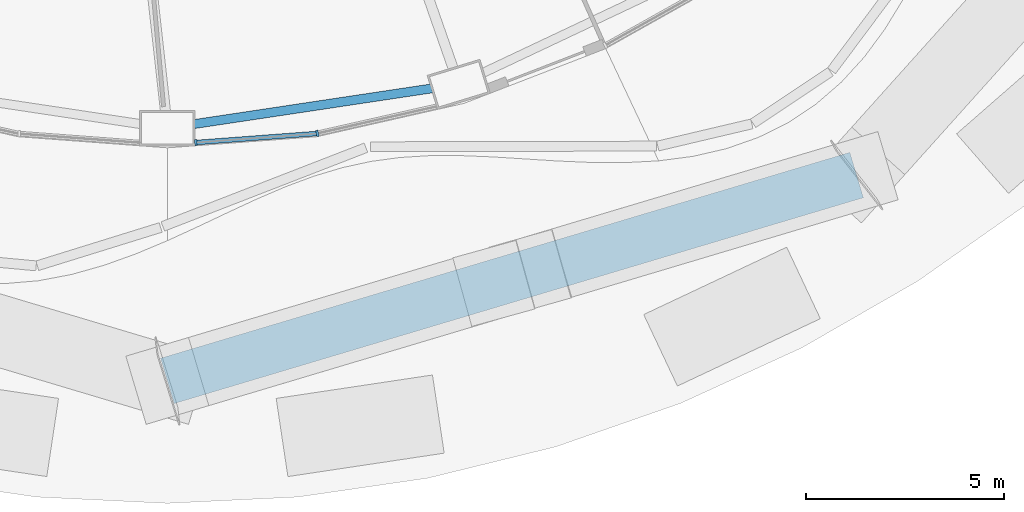
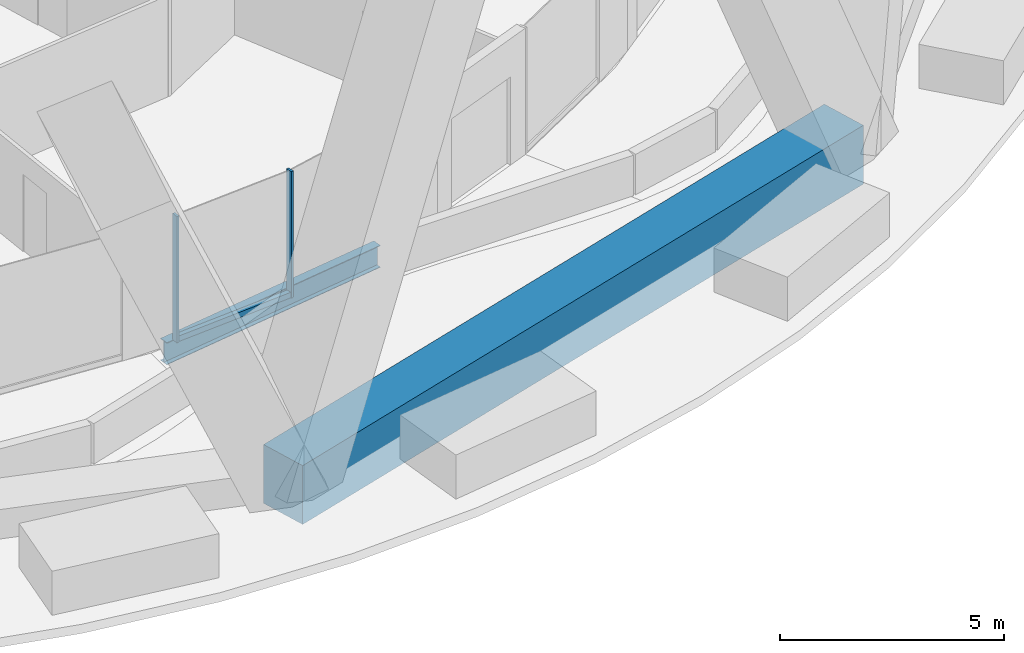
# One storey, part 8 of 42: 4 members, 1 beam, 2 elements without a shape of their own.
"""IFC4 building model written with IfcOpenShell, lengths in metres."""

import ifcopenshell
import ifcopenshell.guid

model = None  # the IFC model being written
_history = None  # IfcOwnerHistory: only IFC2X3 demands one
_inside = {}  # id of a spatial element -> (the spatial element, [elements in it])
_under = {}  # id of a project, library or spatial element -> (it, [spatial elements below it])
_declared = {}  # id of a project -> (the project, [libraries it declares])
_typed = {}  # id of a type object -> (the type object, [elements of that type])
_made_of = {}  # id of a material, layer set ... -> (it, [elements and type objects made of it])


def new_model(schema):
    """Start an empty IFC model of exactly this schema.

    Asked for "IFC4X3", IfcOpenShell would pick the latest addendum, in which some entities
    have other attributes; the version numbers below select the first issue.
    IFC2X3 requires an IfcOwnerHistory on every rooted entity: one is made here for all.
    """
    global model, _history
    if schema == "IFC4X3":
        model = ifcopenshell.file(schema_version=(4, 3, 0, 0))
    else:
        model = ifcopenshell.file(schema=schema)
    _inside.clear()
    _under.clear()
    _declared.clear()
    _typed.clear()
    _made_of.clear()
    _history = None
    if model.schema == "IFC2X3":
        org = make("IfcOrganization", Name="unknown")
        user = make(
            "IfcPersonAndOrganization",
            ThePerson=make("IfcPerson", FamilyName="unknown"),
            TheOrganization=org,
        )
        app = make(
            "IfcApplication",
            ApplicationDeveloper=org,
            Version="unknown",
            ApplicationFullName="unknown",
            ApplicationIdentifier="unknown",
        )
        _history = make(
            "IfcOwnerHistory",
            OwningUser=user,
            OwningApplication=app,
            ChangeAction="ADDED",
            CreationDate=0,
        )
    return model


def make(cls, **values):
    """One entity of the class cls with the attributes given. An attribute that is None is left unset."""
    return model.create_entity(
        cls, **{name: value for name, value in values.items() if value is not None}
    )


def rooted(cls, **values):
    """An entity with a GlobalId (a new one), such as an element, a storey or a relation."""
    return make(cls, GlobalId=ifcopenshell.guid.new(), OwnerHistory=_history, **values)


def si_unit(unit_type, name, prefix=None):
    """IfcSIUnit, for example si_unit("LENGTHUNIT", "METRE", prefix="MILLI")."""
    return make("IfcSIUnit", UnitType=unit_type, Prefix=prefix, Name=name)


def assignment(units):
    """IfcUnitAssignment: the units of a project."""
    return None if units is None else make("IfcUnitAssignment", Units=units)


def point(xyz):
    """IfcCartesianPoint."""
    return None if xyz is None else make("IfcCartesianPoint", Coordinates=xyz)


def direction(xyz):
    """IfcDirection."""
    return None if xyz is None else make("IfcDirection", DirectionRatios=xyz)


def frame(location, z_axis=None, x_axis=None):
    """IfcAxis2Placement3D, a coordinate frame: its origin and axes. An axis left out is left unset."""
    return make(
        "IfcAxis2Placement3D",
        Location=point(location),
        Axis=direction(z_axis),
        RefDirection=direction(x_axis),
    )


def frame_2d(location, x_axis=None):
    """IfcAxis2Placement2D, a coordinate frame in the plane: its origin and x axis."""
    return make(
        "IfcAxis2Placement2D", Location=point(location), RefDirection=direction(x_axis)
    )


def origin():
    """The frame at (0, 0, 0) with its axes left unset."""
    return frame((0.0, 0.0, 0.0))


def origin_2d():
    """The frame at (0, 0) in the plane with its x axis left unset."""
    return frame_2d((0.0, 0.0))


def place(relative_to, where):
    """IfcLocalPlacement: puts the frame where relative to a parent placement (None: the world)."""
    return make(
        "IfcLocalPlacement", PlacementRelTo=relative_to, RelativePlacement=where
    )


def context(
    kind, dimensions, precision=None, world=None, true_north=None, identifier=None
):
    """IfcGeometricRepresentationContext, for example the 3D "Model" context."""
    return make(
        "IfcGeometricRepresentationContext",
        ContextIdentifier=identifier,
        ContextType=kind,
        CoordinateSpaceDimension=dimensions,
        Precision=precision,
        WorldCoordinateSystem=world,
        TrueNorth=true_north,
    )


def subcontext(parent, identifier, kind, view, scale=None):
    """IfcGeometricRepresentationSubContext, for example "Body" below "Model"."""
    return make(
        "IfcGeometricRepresentationSubContext",
        ContextIdentifier=identifier,
        ContextType=kind,
        ParentContext=parent,
        TargetScale=scale,
        TargetView=view,
    )


def project(units=None, contexts=None):
    """IfcProject with its units and contexts."""
    return rooted(
        "IfcProject",
        Name="project",
        RepresentationContexts=contexts,
        UnitsInContext=assignment(units),
    )


def spatial(cls, under=None, at=None, **own):
    """A site, building, storey or space (cls), placed at a placement, below another one or the project."""
    s = rooted(cls, ObjectPlacement=at, **own)
    if under is not None:
        _under.setdefault(under.id(), (under, []))[1].append(s)
    return s


def profile(cls, at=None, kind="AREA", **sizes):
    """A parametric profile (cls). Its sizes go by their IFC names, for example OverallWidth=200.0."""
    return make(cls, ProfileType=kind, Position=at, **sizes)


def rectangle(**sizes):
    """IfcRectangleProfileDef."""
    return profile("IfcRectangleProfileDef", **sizes)


def i_section(**sizes):
    """IfcIShapeProfileDef."""
    return profile("IfcIShapeProfileDef", **sizes)


def extrude(swept, where, along, depth):
    """IfcExtrudedAreaSolid: the profile swept, set in the frame where, extruded along a direction by depth."""
    return make(
        "IfcExtrudedAreaSolid",
        SweptArea=swept,
        Position=where,
        ExtrudedDirection=direction(along),
        Depth=depth,
    )


def shape(context_of_items, identifier, shape_type, items):
    """IfcShapeRepresentation: the items that make up one representation, for example the "Body"."""
    return make(
        "IfcShapeRepresentation",
        ContextOfItems=context_of_items,
        RepresentationIdentifier=identifier,
        RepresentationType=shape_type,
        Items=items,
    )


def material(Name=None, Category=None):
    """IfcMaterial."""
    return make("IfcMaterial", Name=Name, Category=Category)


def layer(
    of_material, thickness, ventilated=None, Name=None, Category=None, Priority=None
):
    """IfcMaterialLayer: one layer of a wall or slab, of a material (None: an air gap)."""
    return make(
        "IfcMaterialLayer",
        Material=of_material,
        LayerThickness=thickness,
        IsVentilated=ventilated,
        Name=Name,
        Category=Category,
        Priority=Priority,
    )


def layer_set(layers, Name=None):
    """IfcMaterialLayerSet."""
    return make("IfcMaterialLayerSet", MaterialLayers=layers, LayerSetName=Name)


def material_profile(
    of_material, cross_section, Name=None, Category=None, Priority=None
):
    """IfcMaterialProfile: a cross section and its material."""
    return make(
        "IfcMaterialProfile",
        Name=Name,
        Material=of_material,
        Profile=cross_section,
        Priority=Priority,
        Category=Category,
    )


def profile_set(profiles, Name=None, composite=None):
    """IfcMaterialProfileSet."""
    return make(
        "IfcMaterialProfileSet",
        Name=Name,
        MaterialProfiles=profiles,
        CompositeProfile=composite,
    )


def made_of(thing, what):
    """Note that an element or type object is made of a material, layer set ...; save() writes the relation."""
    if what is not None:
        _made_of.setdefault(what.id(), (what, []))[1].append(thing)
    return thing


def type_object(cls, material=None, **own):
    """A type object (cls), such as IfcWallType, which elements share."""
    return made_of(rooted(cls, **own), material)


def element(
    cls,
    number,
    at=None,
    inside=None,
    cuts=None,
    type_object=None,
    material=None,
    context=None,
    identifier="Body",
    shape_type=None,
    held_by="IfcProductDefinitionShape",
    body=None,
    shapes=None,
    **own,
):
    """One element of the class cls, such as IfcWall. Its Tag is "e" and its number.

    at: its placement. inside: the storey or other place that contains it. cuts: it is an
    opening in that element (IfcRelVoidsElement). A single representation is given by context,
    identifier, shape_type and body (its items); several are given by shapes. held_by: the class
    of the entity that holds the representations. save() writes the other relations.
    """
    e = rooted(cls, Tag="e%d" % number, ObjectPlacement=at, **own)
    if body is not None:
        shapes = [shape(context, identifier, shape_type, body)]
    if shapes is not None:
        e.Representation = make(held_by, Representations=shapes)
    if inside is not None:
        _inside.setdefault(inside.id(), (inside, []))[1].append(e)
    if cuts is not None:
        rooted(
            "IfcRelVoidsElement", RelatingBuildingElement=cuts, RelatedOpeningElement=e
        )
    if type_object is not None:
        _typed.setdefault(type_object.id(), (type_object, []))[1].append(e)
    return made_of(e, material)


def aggregate(whole, parts):
    """IfcRelAggregates: a whole, such as a stair, and the parts it consists of."""
    return rooted("IfcRelAggregates", RelatingObject=whole, RelatedObjects=parts)


def save(model, path):
    """Write the relations noted so far, then the file.

    IfcRelAggregates (storeys below a building ...), IfcRelContainedInSpatialStructure (elements
    in a storey), IfcRelDefinesByType, IfcRelAssociatesMaterial and IfcRelDeclares: one each for
    every whole, place, type object, material and project.
    """
    for whole, parts in _under.values():
        aggregate(whole, parts)
    for where, things in _inside.values():
        rooted(
            "IfcRelContainedInSpatialStructure",
            RelatedElements=things,
            RelatingStructure=where,
        )
    for kind, things in _typed.values():
        rooted("IfcRelDefinesByType", RelatedObjects=things, RelatingType=kind)
    for what, things in _made_of.values():
        rooted("IfcRelAssociatesMaterial", RelatedObjects=things, RelatingMaterial=what)
    for by, libraries in _declared.values():
        rooted("IfcRelDeclares", RelatingContext=by, RelatedDefinitions=libraries)
    model.write(path)


model = new_model("IFC4")

# Units and contexts
model_context = context("Model", 3, precision=1e-05, world=origin(), true_north=direction((0.0, 1.0)))
body_context = subcontext(model_context, "Body", "Model", "MODEL_VIEW")
ifc_project = project(units=[si_unit("LENGTHUNIT", "METRE"), si_unit("AREAUNIT", "SQUARE_METRE"), si_unit("VOLUMEUNIT", "CUBIC_METRE"), si_unit("PLANEANGLEUNIT", "RADIAN"), si_unit("MASSUNIT", "GRAM", prefix="KILO")], contexts=[model_context])

# Site, building, storey
site_placement = place(None, origin())
site = spatial("IfcSite", under=ifc_project, at=site_placement, CompositionType="ELEMENT")
building_placement = place(site_placement, origin())
building = spatial("IfcBuilding", under=site, at=building_placement, Name="Nagisa Residences", CompositionType="ELEMENT")
storey_placement = place(building_placement, frame((0.0, 0.0, 27.0)))
storey = spatial("IfcBuildingStorey", under=building, at=storey_placement, Name="L05", CompositionType="ELEMENT", Elevation=27.0)

# Curtain wall, member
ifc_material_1 = material(Name="Concrete-coloured aluminium curtain wall system", Category="concrete")
ifc_layer = layer(ifc_material_1, 0.159912109375)
ifc_layer_set = layer_set([ifc_layer], Name="CW1 CURTAIN WALL")
curtain_wall_type = type_object("IfcCurtainWallType", Name="CW1 CURTAIN WALL", PredefinedType="NOTDEFINED", material=ifc_layer_set)
curtain_wall_1_placement = place(storey_placement, origin())
curtain_wall_1 = element("IfcCurtainWall", 1, at=curtain_wall_1_placement, inside=storey, type_object=curtain_wall_type, Name="cw:CW1:L05:36", PredefinedType="NOTDEFINED")
ifc_material_2 = material(Name="Concrete-coloured aluminium", Category="concrete")
ifc_material_profile_1 = material_profile(ifc_material_2, rectangle(XDim=0.159912109375, YDim=0.06005859375, at=origin_2d()), Name="CW1 MULLION 160x60")
ifc_profile_set_1 = profile_set([ifc_material_profile_1], Name="Concrete-coloured aluminium")
member_type_1 = type_object("IfcMemberType", Name="CW1 MULLION 160x60", PredefinedType="MULLION", material=ifc_profile_set_1)
member_1_placement = place(storey_placement, frame((4.322021484375, -32.865966796875, 0.0), z_axis=(0.0, 0.0, 1.0), x_axis=(-0.074377355493, 0.997230168512, 0.0)))
member_1 = element("IfcMember", 2, at=member_1_placement, type_object=member_type_1, Name="CW1 mullion", PredefinedType="MULLION", context=body_context, shape_type="SweptSolid", body=[
    extrude(rectangle(XDim=0.159912109375, YDim=0.06005859375, at=origin_2d()), origin(), (0.0, 0.0, 1.0), 3.43994140625),
])

curtain_wall_2_placement = place(storey_placement, origin())
curtain_wall_2 = element("IfcCurtainWall", 3, at=curtain_wall_2_placement, inside=storey, type_object=curtain_wall_type, Name="cw:CW1:L05:37", PredefinedType="NOTDEFINED")
member_2_placement = place(storey_placement, frame((7.39697265625, -32.633056640625, 0.0), z_axis=(0.0, 0.0, 1.0), x_axis=(-0.2207639201, 0.975327274089, 0.0)))
member_2 = element("IfcMember", 4, at=member_2_placement, type_object=member_type_1, Name="CW1 mullion", PredefinedType="MULLION", context=body_context, shape_type="SweptSolid", body=[
    extrude(rectangle(XDim=0.159912109375, YDim=0.06005859375, at=origin_2d()), origin(), (0.0, 0.0, 1.0), 3.43994140625),
])
aggregate(curtain_wall_2, [member_2])

# Member
ifc_material_3 = material(Name="Concrete-coloured aluminium", Category="concrete")
ifc_material_profile_2 = material_profile(ifc_material_3, rectangle(XDim=0.1201171875, YDim=0.14990234375, at=origin_2d()), Name="CW1 TRANSOM 120x150")
ifc_profile_set_2 = profile_set([ifc_material_profile_2], Name="Concrete-coloured aluminium")
member_type_2 = type_object("IfcMemberType", Name="CW1 TRANSOM 120x150", PredefinedType="USERDEFINED", material=ifc_profile_set_2)
member_3_placement = place(storey_placement, frame((4.2919921875, -32.8681640625, 0.074951171875), z_axis=(0.997231270995, 0.07436257224, 0.0), x_axis=(-0.07436257224, 0.997231270995, 0.0)))
member_3 = element("IfcMember", 5, at=member_3_placement, type_object=member_type_2, Name="CW1 transom", ObjectType="TRANSOM", PredefinedType="USERDEFINED", context=body_context, shape_type="SweptSolid", body=[
    extrude(rectangle(XDim=0.1201171875, YDim=0.14990234375, at=origin_2d()), origin(), (0.0, 0.0, 1.0), 3.095947265625),
])

aggregate(curtain_wall_1, [member_1, member_3])

ifc_material_4 = material(Name="Concrete C80", Category="concrete")
ifc_material_profile_3 = material_profile(ifc_material_4, rectangle(XDim=1.199951171875, YDim=1.60009765625, at=origin_2d()), Name="C80 1200x1600")
ifc_profile_set_3 = profile_set([ifc_material_profile_3], Name="Concrete C80")
member_type_3 = type_object("IfcMemberType", Name="Cage ring 1 C80 1200x1600", PredefinedType="CHORD", material=ifc_profile_set_3)
member_4_placement = place(storey_placement, frame((3.60009765625, -38.89990234375, 0.0), z_axis=(0.958181603798, 0.286160818673, 0.0), x_axis=(-0.286160818673, 0.958181603798, 0.0)))
element("IfcMember", 6, at=member_4_placement, inside=storey, type_object=member_type_3, Name="beam:L05:cg1r110", PredefinedType="CHORD", context=body_context, shape_type="SweptSolid", body=[
    extrude(rectangle(XDim=1.199951171875, YDim=1.60009765625, at=origin_2d()), origin(), (0.0, 0.0, 1.0), 18.21142578125),
])

# Beam
ifc_material_5 = material(Name="Steel ASTM A572 Gr 50", Category="steel")
ifc_material_profile_4 = material_profile(ifc_material_5, i_section(OverallWidth=0.22802734375, OverallDepth=0.60302734375, WebThickness=0.010498046875, FlangeThickness=0.014892578125, at=origin_2d()), Name="W610x101")
ifc_profile_set_4 = profile_set([ifc_material_profile_4], Name="Steel ASTM A572 Gr 50")
beam_type = type_object("IfcBeamType", Name="Perimeter ring beam W610x101", PredefinedType="BEAM", material=ifc_profile_set_4)
beam_placement = place(storey_placement, frame((4.2802734375, -32.39794921875, -0.5615234375), z_axis=(0.988914559467, 0.14848566959, 0.0), x_axis=(-0.14848566959, 0.988914559467, 0.0)))
element("IfcBeam", 7, at=beam_placement, inside=storey, type_object=beam_type, Name="beam:L05:pb19", PredefinedType="BEAM", context=body_context, shape_type="SweptSolid", body=[
    extrude(i_section(OverallWidth=0.22802734375, OverallDepth=0.60302734375, WebThickness=0.010498046875, FlangeThickness=0.014892578125, at=origin_2d()), origin(), (0.0, 0.0, 1.0), 6.08349609375),
])

save(model, "model.ifc")
